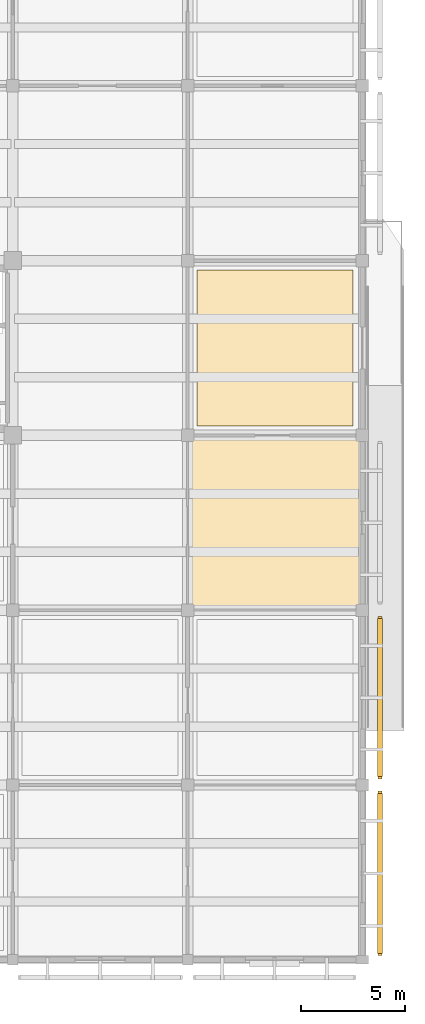
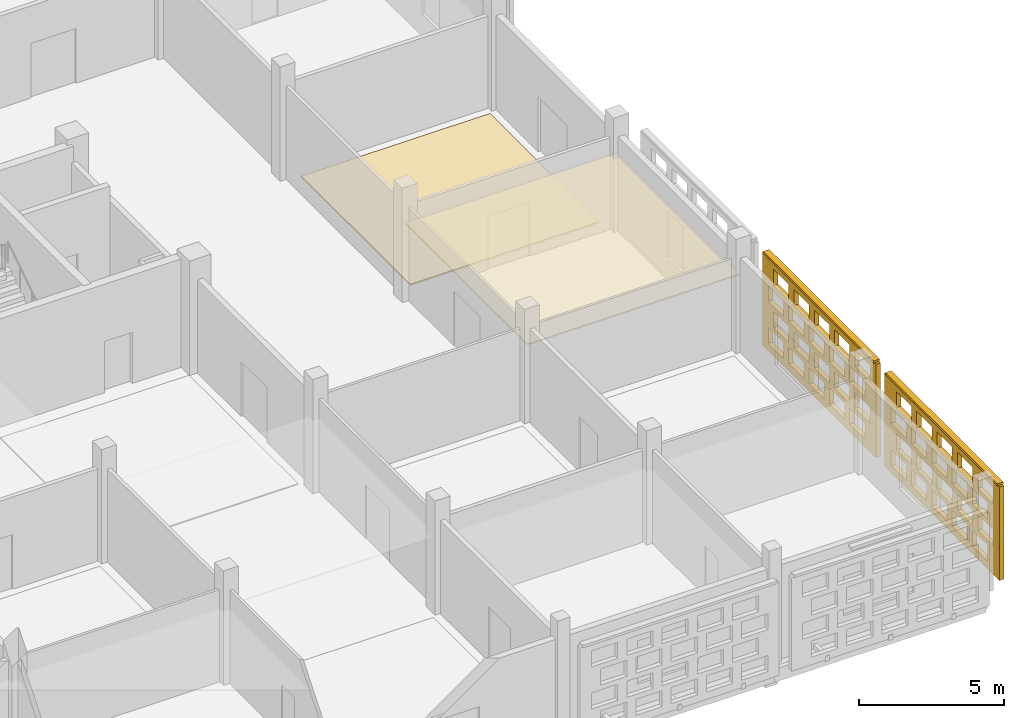
# One storey, part 114 of 129: 4 coverings, 2 shading devices, 40 openings.
"""IFC4 building model written with IfcOpenShell, lengths in metres."""

from ifc_helpers import new_model, si_unit, direction, frame, frame_2d, origin, origin_2d, place, context, subcontext, project, spatial, rectangle, extrude, material, layer, layer_set, type_object, element, save


model = new_model("IFC4")

# Units and contexts
model_context = context("Model", 3, precision=1e-05, world=origin(), true_north=direction((0.0, 1.0)))
body_context = subcontext(model_context, "Body", "Model", "MODEL_VIEW")
ifc_project = project(units=[si_unit("LENGTHUNIT", "METRE"), si_unit("AREAUNIT", "SQUARE_METRE"), si_unit("VOLUMEUNIT", "CUBIC_METRE"), si_unit("PLANEANGLEUNIT", "RADIAN"), si_unit("MASSUNIT", "GRAM", prefix="KILO")], contexts=[model_context])

# Site, building, storey
site_placement = place(None, origin())
site = spatial("IfcSite", under=ifc_project, at=site_placement, CompositionType="ELEMENT")
building_placement = place(site_placement, origin())
building = spatial("IfcBuilding", under=site, at=building_placement, Name="Varnapada Polytechnic", CompositionType="ELEMENT")
storey_placement = place(building_placement, origin())
storey = spatial("IfcBuildingStorey", under=building, at=storey_placement, Name="L00", CompositionType="ELEMENT", Elevation=0.0)

# Coverings
ifc_material_1 = material(Name="End-Grain Timber Studio Block Flooring", Category="wood")
ifc_layer_1 = layer(ifc_material_1, 0.054931640625)
ifc_layer_set_1 = layer_set([ifc_layer_1], Name="End-Grain Timber Studio Block Flooring")
covering_type_1 = type_object("IfcCoveringType", Name="Floor Finish FLR-04", PredefinedType="FLOORING", material=ifc_layer_set_1)
covering_1_placement = place(storey_placement, frame((172.199951171875, 29.39990234375, 0.0), z_axis=(0.0, 0.0, 1.0), x_axis=(1.0, 0.0, 0.0)))
element("IfcCovering", 1, at=covering_1_placement, inside=storey, type_object=covering_type_1, Name="L00 floor finish panel (21,4)", PredefinedType="FLOORING", context=body_context, shape_type="SweptSolid", body=[
    extrude(rectangle(XDim=7.5, YDim=7.5, at=origin_2d()), origin(), (0.0, 0.0, 1.0), 0.054931640625),
])
ifc_material_2 = material(Name="Micro-Perforated Gypsum Acoustic Ceiling")
ifc_layer_2 = layer(ifc_material_2, 0.044921875)
ifc_layer_set_2 = layer_set([ifc_layer_2], Name="Micro-Perforated Gypsum Acoustic Ceiling")
covering_type_2 = type_object("IfcCoveringType", Name="Suspended Ceiling CLG-04", PredefinedType="CEILING", material=ifc_layer_set_2)
covering_2_placement = place(storey_placement, frame((172.199951171875, 21.0, 3.027587890625), z_axis=(0.0, 0.0, 1.0), x_axis=(1.0, 0.0, 0.0)))
element("IfcCovering", 2, at=covering_2_placement, inside=storey, type_object=covering_type_2, Name="L00 suspended acoustic ceiling (21,3)", PredefinedType="CEILING", context=body_context, shape_type="SweptSolid", body=[
    extrude(rectangle(XDim=8.419921875, YDim=8.419921875, at=origin_2d()), origin(), (0.0, 0.0, 1.0), 0.044921875),
])

# Covering, openings
ifc_material_3 = material(Name="Earth-toned architectural terracotta screen block", Category="masonry")
ifc_layer_3 = layer(ifc_material_3, 0.1201171875)
ifc_layer_set_3 = layer_set([ifc_layer_3], Name="Earth-toned architectural terracotta screen block")
covering_type_3 = type_object("IfcCoveringType", Name="Terracotta Screen Cladding CLD-01", PredefinedType="CLADDING", material=ifc_layer_set_3)
covering_3_placement = place(storey_placement, frame((177.25, 8.10009765625, 0.0), z_axis=(0.0, 0.0, 1.0), x_axis=(0.0, -1.0, 0.0)))
covering_3 = element("IfcCovering", 3, at=covering_3_placement, inside=storey, type_object=covering_type_3, Name="L00 perforated terracotta block screen (98)", PredefinedType="CLADDING", context=body_context, shape_type="SweptSolid", body=[
    extrude(rectangle(XDim=7.900146484375, YDim=0.179931640625, at=frame_2d((3.9501953125, 0.0))), origin(), (0.0, 0.0, 1.0), 3.919921875),
])
opening_1_placement = place(covering_3_placement, frame((0.449951171875, 0.0, 0.313720703125)))
element("IfcOpeningElement", 4, at=opening_1_placement, cuts=covering_3, Name="Screen perforation TBS-L00-097.1", PredefinedType="OPENING", context=body_context, shape_type="SweptSolid", body=[
    extrude(rectangle(XDim=1.0400390625, YDim=0.679931640625, at=frame_2d((0.52001953125, 0.33984375))), frame((0.0, 0.099853515625, 0.0), z_axis=(0.0, -1.0, 0.0), x_axis=(1.0, 0.0, 0.0)), (0.0, 0.0, 1.0), 0.199951171875),
])
opening_2_placement = place(covering_3_placement, frame((1.85009765625, 0.0, 0.313720703125)))
element("IfcOpeningElement", 5, at=opening_2_placement, cuts=covering_3, Name="Screen perforation TBS-L00-097.2", PredefinedType="OPENING", context=body_context, shape_type="SweptSolid", body=[
    extrude(rectangle(XDim=1.0400390625, YDim=0.679931640625, at=frame_2d((0.52001953125, 0.33984375))), frame((0.0, 0.099853515625, 0.0), z_axis=(0.0, -1.0, 0.0), x_axis=(1.0, 0.0, 0.0)), (0.0, 0.0, 1.0), 0.199951171875),
])
opening_3_placement = place(covering_3_placement, frame((3.25, 0.0, 0.313720703125)))
element("IfcOpeningElement", 6, at=opening_3_placement, cuts=covering_3, Name="Screen perforation TBS-L00-097.3", PredefinedType="OPENING", context=body_context, shape_type="SweptSolid", body=[
    extrude(rectangle(XDim=1.0400390625, YDim=0.679931640625, at=frame_2d((0.52001953125, 0.33984375))), frame((0.0, 0.099853515625, 0.0), z_axis=(0.0, -1.0, 0.0), x_axis=(1.0, 0.0, 0.0)), (0.0, 0.0, 1.0), 0.199951171875),
])
opening_4_placement = place(covering_3_placement, frame((4.64990234375, 0.0, 0.313720703125)))
element("IfcOpeningElement", 7, at=opening_4_placement, cuts=covering_3, Name="Screen perforation TBS-L00-097.4", PredefinedType="OPENING", context=body_context, shape_type="SweptSolid", body=[
    extrude(rectangle(XDim=1.0400390625, YDim=0.679931640625, at=frame_2d((0.52001953125, 0.33984375))), frame((0.0, 0.099853515625, 0.0), z_axis=(0.0, -1.0, 0.0), x_axis=(1.0, 0.0, 0.0)), (0.0, 0.0, 1.0), 0.199951171875),
])
opening_5_placement = place(covering_3_placement, frame((6.050048828125, 0.0, 0.313720703125)))
element("IfcOpeningElement", 8, at=opening_5_placement, cuts=covering_3, Name="Screen perforation TBS-L00-097.5", PredefinedType="OPENING", context=body_context, shape_type="SweptSolid", body=[
    extrude(rectangle(XDim=1.0400390625, YDim=0.679931640625, at=frame_2d((0.52001953125, 0.33984375))), frame((0.0, 0.099853515625, 0.0), z_axis=(0.0, -1.0, 0.0), x_axis=(1.0, 0.0, 0.0)), (0.0, 0.0, 1.0), 0.199951171875),
])
opening_6_placement = place(covering_3_placement, frame((0.81005859375, 0.0, 1.195556640625)))
element("IfcOpeningElement", 9, at=opening_6_placement, cuts=covering_3, Name="Screen perforation TBS-L00-097.6", PredefinedType="OPENING", context=body_context, shape_type="SweptSolid", body=[
    extrude(rectangle(XDim=1.0400390625, YDim=0.679931640625, at=frame_2d((0.52001953125, 0.33984375))), frame((0.0, 0.099853515625, 0.0), z_axis=(0.0, -1.0, 0.0), x_axis=(1.0, 0.0, 0.0)), (0.0, 0.0, 1.0), 0.199951171875),
])
opening_7_placement = place(covering_3_placement, frame((2.2099609375, 0.0, 1.195556640625)))
element("IfcOpeningElement", 10, at=opening_7_placement, cuts=covering_3, Name="Screen perforation TBS-L00-097.7", PredefinedType="OPENING", context=body_context, shape_type="SweptSolid", body=[
    extrude(rectangle(XDim=1.0400390625, YDim=0.679931640625, at=frame_2d((0.52001953125, 0.33984375))), frame((0.0, 0.099853515625, 0.0), z_axis=(0.0, -1.0, 0.0), x_axis=(1.0, 0.0, 0.0)), (0.0, 0.0, 1.0), 0.199951171875),
])
opening_8_placement = place(covering_3_placement, frame((3.610107421875, 0.0, 1.195556640625)))
element("IfcOpeningElement", 11, at=opening_8_placement, cuts=covering_3, Name="Screen perforation TBS-L00-097.8", PredefinedType="OPENING", context=body_context, shape_type="SweptSolid", body=[
    extrude(rectangle(XDim=1.0400390625, YDim=0.679931640625, at=frame_2d((0.52001953125, 0.33984375))), frame((0.0, 0.099853515625, 0.0), z_axis=(0.0, -1.0, 0.0), x_axis=(1.0, 0.0, 0.0)), (0.0, 0.0, 1.0), 0.199951171875),
])
opening_9_placement = place(covering_3_placement, frame((5.010009765625, 0.0, 1.195556640625)))
element("IfcOpeningElement", 12, at=opening_9_placement, cuts=covering_3, Name="Screen perforation TBS-L00-097.9", PredefinedType="OPENING", context=body_context, shape_type="SweptSolid", body=[
    extrude(rectangle(XDim=1.0400390625, YDim=0.679931640625, at=frame_2d((0.52001953125, 0.33984375))), frame((0.0, 0.099853515625, 0.0), z_axis=(0.0, -1.0, 0.0), x_axis=(1.0, 0.0, 0.0)), (0.0, 0.0, 1.0), 0.199951171875),
])
opening_10_placement = place(covering_3_placement, frame((6.409912109375, 0.0, 1.195556640625)))
element("IfcOpeningElement", 13, at=opening_10_placement, cuts=covering_3, Name="Screen perforation TBS-L00-097.10", PredefinedType="OPENING", context=body_context, shape_type="SweptSolid", body=[
    extrude(rectangle(XDim=1.0400390625, YDim=0.679931640625, at=frame_2d((0.52001953125, 0.33984375))), frame((0.0, 0.099853515625, 0.0), z_axis=(0.0, -1.0, 0.0), x_axis=(1.0, 0.0, 0.0)), (0.0, 0.0, 1.0), 0.199951171875),
])
opening_11_placement = place(covering_3_placement, frame((0.449951171875, 0.0, 2.07763671875)))
element("IfcOpeningElement", 14, at=opening_11_placement, cuts=covering_3, Name="Screen perforation TBS-L00-097.11", PredefinedType="OPENING", context=body_context, shape_type="SweptSolid", body=[
    extrude(rectangle(XDim=1.0400390625, YDim=0.679931640625, at=frame_2d((0.52001953125, 0.33984375))), frame((0.0, 0.099853515625, 0.0), z_axis=(0.0, -1.0, 0.0), x_axis=(1.0, 0.0, 0.0)), (0.0, 0.0, 1.0), 0.199951171875),
])
opening_12_placement = place(covering_3_placement, frame((1.85009765625, 0.0, 2.07763671875)))
element("IfcOpeningElement", 15, at=opening_12_placement, cuts=covering_3, Name="Screen perforation TBS-L00-097.12", PredefinedType="OPENING", context=body_context, shape_type="SweptSolid", body=[
    extrude(rectangle(XDim=1.0400390625, YDim=0.679931640625, at=frame_2d((0.52001953125, 0.33984375))), frame((0.0, 0.099853515625, 0.0), z_axis=(0.0, -1.0, 0.0), x_axis=(1.0, 0.0, 0.0)), (0.0, 0.0, 1.0), 0.199951171875),
])
opening_13_placement = place(covering_3_placement, frame((3.25, 0.0, 2.07763671875)))
element("IfcOpeningElement", 16, at=opening_13_placement, cuts=covering_3, Name="Screen perforation TBS-L00-097.13", PredefinedType="OPENING", context=body_context, shape_type="SweptSolid", body=[
    extrude(rectangle(XDim=1.0400390625, YDim=0.679931640625, at=frame_2d((0.52001953125, 0.33984375))), frame((0.0, 0.099853515625, 0.0), z_axis=(0.0, -1.0, 0.0), x_axis=(1.0, 0.0, 0.0)), (0.0, 0.0, 1.0), 0.199951171875),
])
opening_14_placement = place(covering_3_placement, frame((4.64990234375, 0.0, 2.07763671875)))
element("IfcOpeningElement", 17, at=opening_14_placement, cuts=covering_3, Name="Screen perforation TBS-L00-097.14", PredefinedType="OPENING", context=body_context, shape_type="SweptSolid", body=[
    extrude(rectangle(XDim=1.0400390625, YDim=0.679931640625, at=frame_2d((0.52001953125, 0.33984375))), frame((0.0, 0.099853515625, 0.0), z_axis=(0.0, -1.0, 0.0), x_axis=(1.0, 0.0, 0.0)), (0.0, 0.0, 1.0), 0.199951171875),
])
opening_15_placement = place(covering_3_placement, frame((6.050048828125, 0.0, 2.07763671875)))
element("IfcOpeningElement", 18, at=opening_15_placement, cuts=covering_3, Name="Screen perforation TBS-L00-097.15", PredefinedType="OPENING", context=body_context, shape_type="SweptSolid", body=[
    extrude(rectangle(XDim=1.0400390625, YDim=0.679931640625, at=frame_2d((0.52001953125, 0.33984375))), frame((0.0, 0.099853515625, 0.0), z_axis=(0.0, -1.0, 0.0), x_axis=(1.0, 0.0, 0.0)), (0.0, 0.0, 1.0), 0.199951171875),
])
opening_16_placement = place(covering_3_placement, frame((0.81005859375, 0.0, 2.959716796875)))
element("IfcOpeningElement", 19, at=opening_16_placement, cuts=covering_3, Name="Screen perforation TBS-L00-097.16", PredefinedType="OPENING", context=body_context, shape_type="SweptSolid", body=[
    extrude(rectangle(XDim=1.0400390625, YDim=0.679931640625, at=frame_2d((0.52001953125, 0.33984375))), frame((0.0, 0.099853515625, 0.0), z_axis=(0.0, -1.0, 0.0), x_axis=(1.0, 0.0, 0.0)), (0.0, 0.0, 1.0), 0.199951171875),
])
opening_17_placement = place(covering_3_placement, frame((2.2099609375, 0.0, 2.959716796875)))
element("IfcOpeningElement", 20, at=opening_17_placement, cuts=covering_3, Name="Screen perforation TBS-L00-097.17", PredefinedType="OPENING", context=body_context, shape_type="SweptSolid", body=[
    extrude(rectangle(XDim=1.0400390625, YDim=0.679931640625, at=frame_2d((0.52001953125, 0.33984375))), frame((0.0, 0.099853515625, 0.0), z_axis=(0.0, -1.0, 0.0), x_axis=(1.0, 0.0, 0.0)), (0.0, 0.0, 1.0), 0.199951171875),
])
opening_18_placement = place(covering_3_placement, frame((3.610107421875, 0.0, 2.959716796875)))
element("IfcOpeningElement", 21, at=opening_18_placement, cuts=covering_3, Name="Screen perforation TBS-L00-097.18", PredefinedType="OPENING", context=body_context, shape_type="SweptSolid", body=[
    extrude(rectangle(XDim=1.0400390625, YDim=0.679931640625, at=frame_2d((0.52001953125, 0.33984375))), frame((0.0, 0.099853515625, 0.0), z_axis=(0.0, -1.0, 0.0), x_axis=(1.0, 0.0, 0.0)), (0.0, 0.0, 1.0), 0.199951171875),
])
opening_19_placement = place(covering_3_placement, frame((5.010009765625, 0.0, 2.959716796875)))
element("IfcOpeningElement", 22, at=opening_19_placement, cuts=covering_3, Name="Screen perforation TBS-L00-097.19", PredefinedType="OPENING", context=body_context, shape_type="SweptSolid", body=[
    extrude(rectangle(XDim=1.0400390625, YDim=0.679931640625, at=frame_2d((0.52001953125, 0.33984375))), frame((0.0, 0.099853515625, 0.0), z_axis=(0.0, -1.0, 0.0), x_axis=(1.0, 0.0, 0.0)), (0.0, 0.0, 1.0), 0.199951171875),
])
opening_20_placement = place(covering_3_placement, frame((6.409912109375, 0.0, 2.959716796875)))
element("IfcOpeningElement", 23, at=opening_20_placement, cuts=covering_3, Name="Screen perforation TBS-L00-097.20", PredefinedType="OPENING", context=body_context, shape_type="SweptSolid", body=[
    extrude(rectangle(XDim=1.0400390625, YDim=0.679931640625, at=frame_2d((0.52001953125, 0.33984375))), frame((0.0, 0.099853515625, 0.0), z_axis=(0.0, -1.0, 0.0), x_axis=(1.0, 0.0, 0.0)), (0.0, 0.0, 1.0), 0.199951171875),
])

covering_4_placement = place(storey_placement, frame((177.25, 16.5, 0.0), z_axis=(0.0, 0.0, 1.0), x_axis=(0.0, -1.0, 0.0)))
covering_4 = element("IfcCovering", 24, at=covering_4_placement, inside=storey, type_object=covering_type_3, Name="L00 perforated terracotta block screen (99)", PredefinedType="CLADDING", context=body_context, shape_type="SweptSolid", body=[
    extrude(rectangle(XDim=7.800048828125, YDim=0.179931640625, at=frame_2d((3.89990234375, 0.0))), origin(), (0.0, 0.0, 1.0), 3.919921875),
])
opening_21_placement = place(covering_4_placement, frame((0.39990234375, 0.0, 0.313720703125)))
element("IfcOpeningElement", 25, at=opening_21_placement, cuts=covering_4, Name="Screen perforation TBS-L00-098.1", PredefinedType="OPENING", context=body_context, shape_type="SweptSolid", body=[
    extrude(rectangle(XDim=1.0400390625, YDim=0.679931640625, at=frame_2d((0.52001953125, 0.33984375))), frame((0.0, 0.099853515625, 0.0), z_axis=(0.0, -1.0, 0.0), x_axis=(1.0, 0.0, 0.0)), (0.0, 0.0, 1.0), 0.199951171875),
])
opening_22_placement = place(covering_4_placement, frame((1.800048828125, 0.0, 0.313720703125)))
element("IfcOpeningElement", 26, at=opening_22_placement, cuts=covering_4, Name="Screen perforation TBS-L00-098.2", PredefinedType="OPENING", context=body_context, shape_type="SweptSolid", body=[
    extrude(rectangle(XDim=1.0400390625, YDim=0.679931640625, at=frame_2d((0.52001953125, 0.33984375))), frame((0.0, 0.099853515625, 0.0), z_axis=(0.0, -1.0, 0.0), x_axis=(1.0, 0.0, 0.0)), (0.0, 0.0, 1.0), 0.199951171875),
])
opening_23_placement = place(covering_4_placement, frame((3.199951171875, 0.0, 0.313720703125)))
element("IfcOpeningElement", 27, at=opening_23_placement, cuts=covering_4, Name="Screen perforation TBS-L00-098.3", PredefinedType="OPENING", context=body_context, shape_type="SweptSolid", body=[
    extrude(rectangle(XDim=1.0400390625, YDim=0.679931640625, at=frame_2d((0.52001953125, 0.33984375))), frame((0.0, 0.099853515625, 0.0), z_axis=(0.0, -1.0, 0.0), x_axis=(1.0, 0.0, 0.0)), (0.0, 0.0, 1.0), 0.199951171875),
])
opening_24_placement = place(covering_4_placement, frame((4.60009765625, 0.0, 0.313720703125)))
element("IfcOpeningElement", 28, at=opening_24_placement, cuts=covering_4, Name="Screen perforation TBS-L00-098.4", PredefinedType="OPENING", context=body_context, shape_type="SweptSolid", body=[
    extrude(rectangle(XDim=1.0400390625, YDim=0.679931640625, at=frame_2d((0.52001953125, 0.33984375))), frame((0.0, 0.099853515625, 0.0), z_axis=(0.0, -1.0, 0.0), x_axis=(1.0, 0.0, 0.0)), (0.0, 0.0, 1.0), 0.199951171875),
])
opening_25_placement = place(covering_4_placement, frame((6.0, 0.0, 0.313720703125)))
element("IfcOpeningElement", 29, at=opening_25_placement, cuts=covering_4, Name="Screen perforation TBS-L00-098.5", PredefinedType="OPENING", context=body_context, shape_type="SweptSolid", body=[
    extrude(rectangle(XDim=1.0400390625, YDim=0.679931640625, at=frame_2d((0.52001953125, 0.33984375))), frame((0.0, 0.099853515625, 0.0), z_axis=(0.0, -1.0, 0.0), x_axis=(1.0, 0.0, 0.0)), (0.0, 0.0, 1.0), 0.199951171875),
])
opening_26_placement = place(covering_4_placement, frame((0.760009765625, 0.0, 1.195556640625)))
element("IfcOpeningElement", 30, at=opening_26_placement, cuts=covering_4, Name="Screen perforation TBS-L00-098.6", PredefinedType="OPENING", context=body_context, shape_type="SweptSolid", body=[
    extrude(rectangle(XDim=1.0400390625, YDim=0.679931640625, at=frame_2d((0.52001953125, 0.33984375))), frame((0.0, 0.099853515625, 0.0), z_axis=(0.0, -1.0, 0.0), x_axis=(1.0, 0.0, 0.0)), (0.0, 0.0, 1.0), 0.199951171875),
])
opening_27_placement = place(covering_4_placement, frame((2.159912109375, 0.0, 1.195556640625)))
element("IfcOpeningElement", 31, at=opening_27_placement, cuts=covering_4, Name="Screen perforation TBS-L00-098.7", PredefinedType="OPENING", context=body_context, shape_type="SweptSolid", body=[
    extrude(rectangle(XDim=1.0400390625, YDim=0.679931640625, at=frame_2d((0.52001953125, 0.33984375))), frame((0.0, 0.099853515625, 0.0), z_axis=(0.0, -1.0, 0.0), x_axis=(1.0, 0.0, 0.0)), (0.0, 0.0, 1.0), 0.199951171875),
])
opening_28_placement = place(covering_4_placement, frame((3.56005859375, 0.0, 1.195556640625)))
element("IfcOpeningElement", 32, at=opening_28_placement, cuts=covering_4, Name="Screen perforation TBS-L00-098.8", PredefinedType="OPENING", context=body_context, shape_type="SweptSolid", body=[
    extrude(rectangle(XDim=1.0400390625, YDim=0.679931640625, at=frame_2d((0.52001953125, 0.33984375))), frame((0.0, 0.099853515625, 0.0), z_axis=(0.0, -1.0, 0.0), x_axis=(1.0, 0.0, 0.0)), (0.0, 0.0, 1.0), 0.199951171875),
])
opening_29_placement = place(covering_4_placement, frame((4.9599609375, 0.0, 1.195556640625)))
element("IfcOpeningElement", 33, at=opening_29_placement, cuts=covering_4, Name="Screen perforation TBS-L00-098.9", PredefinedType="OPENING", context=body_context, shape_type="SweptSolid", body=[
    extrude(rectangle(XDim=1.0400390625, YDim=0.679931640625, at=frame_2d((0.52001953125, 0.33984375))), frame((0.0, 0.099853515625, 0.0), z_axis=(0.0, -1.0, 0.0), x_axis=(1.0, 0.0, 0.0)), (0.0, 0.0, 1.0), 0.199951171875),
])
opening_30_placement = place(covering_4_placement, frame((6.360107421875, 0.0, 1.195556640625)))
element("IfcOpeningElement", 34, at=opening_30_placement, cuts=covering_4, Name="Screen perforation TBS-L00-098.10", PredefinedType="OPENING", context=body_context, shape_type="SweptSolid", body=[
    extrude(rectangle(XDim=1.0400390625, YDim=0.679931640625, at=frame_2d((0.52001953125, 0.33984375))), frame((0.0, 0.099853515625, 0.0), z_axis=(0.0, -1.0, 0.0), x_axis=(1.0, 0.0, 0.0)), (0.0, 0.0, 1.0), 0.199951171875),
])
opening_31_placement = place(covering_4_placement, frame((0.39990234375, 0.0, 2.07763671875)))
element("IfcOpeningElement", 35, at=opening_31_placement, cuts=covering_4, Name="Screen perforation TBS-L00-098.11", PredefinedType="OPENING", context=body_context, shape_type="SweptSolid", body=[
    extrude(rectangle(XDim=1.0400390625, YDim=0.679931640625, at=frame_2d((0.52001953125, 0.33984375))), frame((0.0, 0.099853515625, 0.0), z_axis=(0.0, -1.0, 0.0), x_axis=(1.0, 0.0, 0.0)), (0.0, 0.0, 1.0), 0.199951171875),
])
opening_32_placement = place(covering_4_placement, frame((1.800048828125, 0.0, 2.07763671875)))
element("IfcOpeningElement", 36, at=opening_32_placement, cuts=covering_4, Name="Screen perforation TBS-L00-098.12", PredefinedType="OPENING", context=body_context, shape_type="SweptSolid", body=[
    extrude(rectangle(XDim=1.0400390625, YDim=0.679931640625, at=frame_2d((0.52001953125, 0.33984375))), frame((0.0, 0.099853515625, 0.0), z_axis=(0.0, -1.0, 0.0), x_axis=(1.0, 0.0, 0.0)), (0.0, 0.0, 1.0), 0.199951171875),
])
opening_33_placement = place(covering_4_placement, frame((3.199951171875, 0.0, 2.07763671875)))
element("IfcOpeningElement", 37, at=opening_33_placement, cuts=covering_4, Name="Screen perforation TBS-L00-098.13", PredefinedType="OPENING", context=body_context, shape_type="SweptSolid", body=[
    extrude(rectangle(XDim=1.0400390625, YDim=0.679931640625, at=frame_2d((0.52001953125, 0.33984375))), frame((0.0, 0.099853515625, 0.0), z_axis=(0.0, -1.0, 0.0), x_axis=(1.0, 0.0, 0.0)), (0.0, 0.0, 1.0), 0.199951171875),
])
opening_34_placement = place(covering_4_placement, frame((4.60009765625, 0.0, 2.07763671875)))
element("IfcOpeningElement", 38, at=opening_34_placement, cuts=covering_4, Name="Screen perforation TBS-L00-098.14", PredefinedType="OPENING", context=body_context, shape_type="SweptSolid", body=[
    extrude(rectangle(XDim=1.0400390625, YDim=0.679931640625, at=frame_2d((0.52001953125, 0.33984375))), frame((0.0, 0.099853515625, 0.0), z_axis=(0.0, -1.0, 0.0), x_axis=(1.0, 0.0, 0.0)), (0.0, 0.0, 1.0), 0.199951171875),
])
opening_35_placement = place(covering_4_placement, frame((6.0, 0.0, 2.07763671875)))
element("IfcOpeningElement", 39, at=opening_35_placement, cuts=covering_4, Name="Screen perforation TBS-L00-098.15", PredefinedType="OPENING", context=body_context, shape_type="SweptSolid", body=[
    extrude(rectangle(XDim=1.0400390625, YDim=0.679931640625, at=frame_2d((0.52001953125, 0.33984375))), frame((0.0, 0.099853515625, 0.0), z_axis=(0.0, -1.0, 0.0), x_axis=(1.0, 0.0, 0.0)), (0.0, 0.0, 1.0), 0.199951171875),
])
opening_36_placement = place(covering_4_placement, frame((0.760009765625, 0.0, 2.959716796875)))
element("IfcOpeningElement", 40, at=opening_36_placement, cuts=covering_4, Name="Screen perforation TBS-L00-098.16", PredefinedType="OPENING", context=body_context, shape_type="SweptSolid", body=[
    extrude(rectangle(XDim=1.0400390625, YDim=0.679931640625, at=frame_2d((0.52001953125, 0.33984375))), frame((0.0, 0.099853515625, 0.0), z_axis=(0.0, -1.0, 0.0), x_axis=(1.0, 0.0, 0.0)), (0.0, 0.0, 1.0), 0.199951171875),
])
opening_37_placement = place(covering_4_placement, frame((2.159912109375, 0.0, 2.959716796875)))
element("IfcOpeningElement", 41, at=opening_37_placement, cuts=covering_4, Name="Screen perforation TBS-L00-098.17", PredefinedType="OPENING", context=body_context, shape_type="SweptSolid", body=[
    extrude(rectangle(XDim=1.0400390625, YDim=0.679931640625, at=frame_2d((0.52001953125, 0.33984375))), frame((0.0, 0.099853515625, 0.0), z_axis=(0.0, -1.0, 0.0), x_axis=(1.0, 0.0, 0.0)), (0.0, 0.0, 1.0), 0.199951171875),
])
opening_38_placement = place(covering_4_placement, frame((3.56005859375, 0.0, 2.959716796875)))
element("IfcOpeningElement", 42, at=opening_38_placement, cuts=covering_4, Name="Screen perforation TBS-L00-098.18", PredefinedType="OPENING", context=body_context, shape_type="SweptSolid", body=[
    extrude(rectangle(XDim=1.0400390625, YDim=0.679931640625, at=frame_2d((0.52001953125, 0.33984375))), frame((0.0, 0.099853515625, 0.0), z_axis=(0.0, -1.0, 0.0), x_axis=(1.0, 0.0, 0.0)), (0.0, 0.0, 1.0), 0.199951171875),
])
opening_39_placement = place(covering_4_placement, frame((4.9599609375, 0.0, 2.959716796875)))
element("IfcOpeningElement", 43, at=opening_39_placement, cuts=covering_4, Name="Screen perforation TBS-L00-098.19", PredefinedType="OPENING", context=body_context, shape_type="SweptSolid", body=[
    extrude(rectangle(XDim=1.0400390625, YDim=0.679931640625, at=frame_2d((0.52001953125, 0.33984375))), frame((0.0, 0.099853515625, 0.0), z_axis=(0.0, -1.0, 0.0), x_axis=(1.0, 0.0, 0.0)), (0.0, 0.0, 1.0), 0.199951171875),
])
opening_40_placement = place(covering_4_placement, frame((6.360107421875, 0.0, 2.959716796875)))
element("IfcOpeningElement", 44, at=opening_40_placement, cuts=covering_4, Name="Screen perforation TBS-L00-098.20", PredefinedType="OPENING", context=body_context, shape_type="SweptSolid", body=[
    extrude(rectangle(XDim=1.0400390625, YDim=0.679931640625, at=frame_2d((0.52001953125, 0.33984375))), frame((0.0, 0.099853515625, 0.0), z_axis=(0.0, -1.0, 0.0), x_axis=(1.0, 0.0, 0.0)), (0.0, 0.0, 1.0), 0.199951171875),
])

# Shading devices
ifc_layer_4 = layer(ifc_material_3, 0.179931640625)
ifc_layer_set_4 = layer_set([ifc_layer_4], Name="Earth-toned architectural terracotta screen block")
shading_device_type = type_object("IfcShadingDeviceType", Name="Terracotta Screen SCR-02", PredefinedType="USERDEFINED", material=ifc_layer_set_4)
shading_device_1_placement = place(storey_placement, frame((177.25, 4.14990234375, 3.909912109375), z_axis=(0.0, 0.0, 1.0), x_axis=(0.0, -1.0, 0.0)))
element("IfcShadingDevice", 45, at=shading_device_1_placement, inside=storey, type_object=shading_device_type, Name="L00 perforated terracotta screen hood 70", ObjectType="SCREEN", PredefinedType="USERDEFINED", context=body_context, shape_type="SweptSolid", body=[
    extrude(rectangle(XDim=7.699951171875, YDim=0.239990234375, at=origin_2d()), origin(), (0.0, 0.0, 1.0), 0.10009765625),
])
shading_device_2_placement = place(storey_placement, frame((177.25, 12.60009765625, 3.909912109375), z_axis=(0.0, 0.0, 1.0), x_axis=(0.0, -1.0, 0.0)))
element("IfcShadingDevice", 46, at=shading_device_2_placement, inside=storey, type_object=shading_device_type, Name="L00 perforated terracotta screen hood 71", ObjectType="SCREEN", PredefinedType="USERDEFINED", context=body_context, shape_type="SweptSolid", body=[
    extrude(rectangle(XDim=7.60009765625, YDim=0.239990234375, at=origin_2d()), origin(), (0.0, 0.0, 1.0), 0.10009765625),
])

save(model, "model.ifc")
